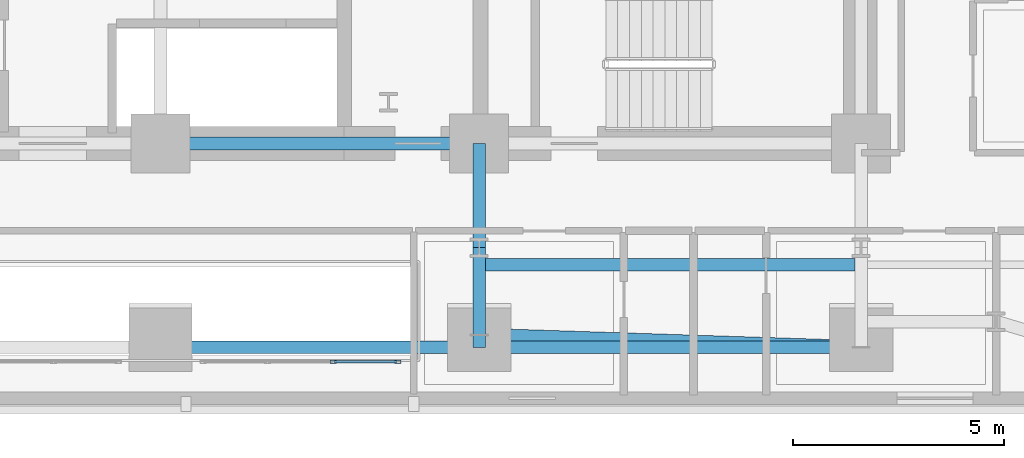
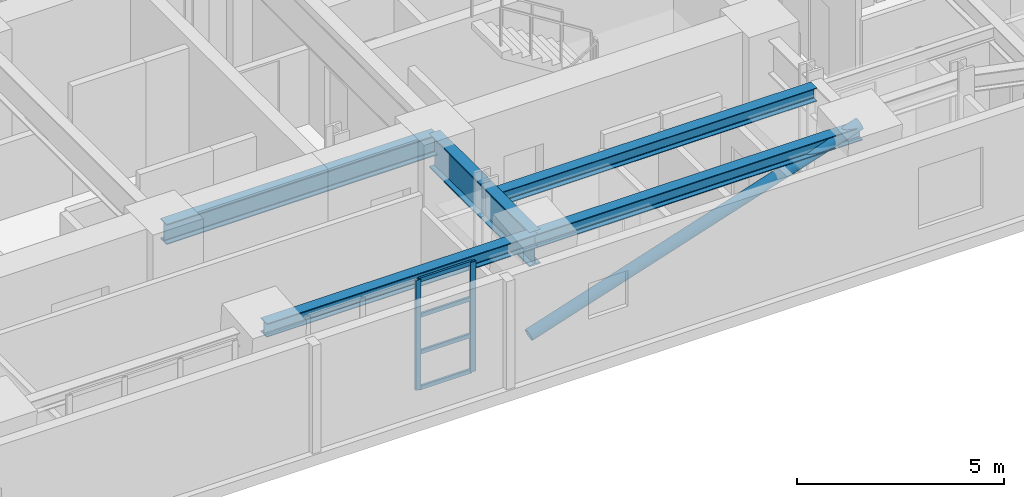
# One storey, part 4 of 16: 7 members, 6 beams, 1 element without a shape of its own.
"""IFC4 building model written with IfcOpenShell, lengths in metres."""

from ifc_helpers import new_model, si_unit, direction, frame, origin, origin_2d, place, context, subcontext, project, spatial, hollow_rectangle, hollow_circle, i_section, extrude, material, layer, layer_set, material_profile, profile_set, type_object, element, aggregate, save


model = new_model("IFC4")

# Units and contexts
model_context = context("Model", 3, precision=1e-05, world=origin(), true_north=direction((0.0, 1.0)))
body_context = subcontext(model_context, "Body", "Model", "MODEL_VIEW")
ifc_project = project(units=[si_unit("LENGTHUNIT", "METRE"), si_unit("AREAUNIT", "SQUARE_METRE"), si_unit("VOLUMEUNIT", "CUBIC_METRE"), si_unit("PLANEANGLEUNIT", "RADIAN"), si_unit("MASSUNIT", "GRAM", prefix="KILO")], contexts=[model_context])

# Site, building, storey
site_placement = place(None, origin())
site = spatial("IfcSite", under=ifc_project, at=site_placement, CompositionType="ELEMENT")
building_placement = place(site_placement, origin())
building = spatial("IfcBuilding", under=site, at=building_placement, Name="Zarnavel Station Tower", CompositionType="ELEMENT")
storey_placement = place(building_placement, frame((0.0, 0.0, 32.5)))
storey = spatial("IfcBuildingStorey", under=building, at=storey_placement, Name="L08", CompositionType="ELEMENT", Elevation=32.5)

# Curtain wall, members
ifc_material_1 = material(Name="Aluminium Dark Anodised and Solar-Control Glass", Category="aluminium")
ifc_layer = layer(ifc_material_1, 0.179931640625)
ifc_layer_set = layer_set([ifc_layer], Name="CWS2")
curtain_wall_type = type_object("IfcCurtainWallType", Name="CWS2", PredefinedType="NOTDEFINED", material=ifc_layer_set)
curtain_wall_placement = place(storey_placement, origin())
curtain_wall = element("IfcCurtainWall", 1, at=curtain_wall_placement, inside=storey, type_object=curtain_wall_type, Name="L08 Curtain Wall CWS2-L08-AS-S2", PredefinedType="NOTDEFINED")
ifc_material_2 = material(Name="Steel S355J2 (Black Fluoropolymer Coated)", Category="steel")
ifc_material_profile_1 = material_profile(ifc_material_2, hollow_rectangle(XDim=0.074951171875, YDim=0.14990234375, WallThickness=0.00634765625, at=origin_2d()), Name="RHS150x75x6.3")
ifc_profile_set_1 = profile_set([ifc_material_profile_1], Name="Steel S355J2 (Black Fluoropolymer Coated)")
member_type_1 = type_object("IfcMemberType", Name="CWS2_MUL", PredefinedType="MULLION", material=ifc_profile_set_1)
member_1_placement = place(storey_placement, frame((32.893310546875, 22.64990234375, 0.0), z_axis=(0.0, 0.0, 1.0), x_axis=(0.0, 1.0, 0.0)))
member_1 = element("IfcMember", 2, at=member_1_placement, type_object=member_type_1, Name="CW2 mullion 3", PredefinedType="MULLION", context=body_context, shape_type="SweptSolid", body=[
    extrude(hollow_rectangle(XDim=0.074951171875, YDim=0.14990234375, WallThickness=0.00634765625, at=origin_2d()), origin(), (0.0, 0.0, 1.0), 3.239990234375),
])
member_2_placement = place(storey_placement, frame((34.419921875, 22.64990234375, 0.0), z_axis=(0.0, 0.0, 1.0), x_axis=(0.0, 1.0, 0.0)))
member_2 = element("IfcMember", 3, at=member_2_placement, type_object=member_type_1, Name="CW2 mullion 4", PredefinedType="MULLION", context=body_context, shape_type="SweptSolid", body=[
    extrude(hollow_rectangle(XDim=0.074951171875, YDim=0.14990234375, WallThickness=0.00634765625, at=origin_2d()), origin(), (0.0, 0.0, 1.0), 3.239990234375),
])
ifc_material_3 = material(Name="Steel S355J2 (Black Fluoropolymer Coated)", Category="steel")
ifc_material_profile_2 = material_profile(ifc_material_3, hollow_rectangle(XDim=0.06005859375, YDim=0.1201171875, WallThickness=0.0048828125, at=origin_2d()), Name="RHS120x60x5")
ifc_profile_set_2 = profile_set([ifc_material_profile_2], Name="Steel S355J2 (Black Fluoropolymer Coated)")
member_type_2 = type_object("IfcMemberType", Name="CWS2_TRN", PredefinedType="USERDEFINED", material=ifc_profile_set_2)
member_3_placement = place(storey_placement, frame((32.92333984375, 22.64990234375, 0.030029296875), z_axis=(1.0, 0.0, 0.0), x_axis=(0.0, 1.0, 0.0)))
member_3 = element("IfcMember", 4, at=member_3_placement, type_object=member_type_2, Name="CW2 transom 3.1", ObjectType="TRANSOM", PredefinedType="USERDEFINED", context=body_context, shape_type="SweptSolid", body=[
    extrude(hollow_rectangle(XDim=0.06005859375, YDim=0.1201171875, WallThickness=0.0048828125, at=origin_2d()), origin(), (0.0, 0.0, 1.0), 1.466552734375),
])
member_4_placement = place(storey_placement, frame((32.92333984375, 22.64990234375, 1.080078125), z_axis=(1.0, 0.0, 0.0), x_axis=(0.0, 1.0, 0.0)))
member_4 = element("IfcMember", 5, at=member_4_placement, type_object=member_type_2, Name="CW2 transom 3.2", ObjectType="TRANSOM", PredefinedType="USERDEFINED", context=body_context, shape_type="SweptSolid", body=[
    extrude(hollow_rectangle(XDim=0.06005859375, YDim=0.1201171875, WallThickness=0.0048828125, at=origin_2d()), origin(), (0.0, 0.0, 1.0), 1.466552734375),
])
member_5_placement = place(storey_placement, frame((32.92333984375, 22.64990234375, 2.159912109375), z_axis=(1.0, 0.0, 0.0), x_axis=(0.0, 1.0, 0.0)))
member_5 = element("IfcMember", 6, at=member_5_placement, type_object=member_type_2, Name="CW2 transom 3.3", ObjectType="TRANSOM", PredefinedType="USERDEFINED", context=body_context, shape_type="SweptSolid", body=[
    extrude(hollow_rectangle(XDim=0.06005859375, YDim=0.1201171875, WallThickness=0.0048828125, at=origin_2d()), origin(), (0.0, 0.0, 1.0), 1.466552734375),
])
member_6_placement = place(storey_placement, frame((32.92333984375, 22.64990234375, 3.2099609375), z_axis=(1.0, 0.0, 0.0), x_axis=(0.0, 1.0, 0.0)))
member_6 = element("IfcMember", 7, at=member_6_placement, type_object=member_type_2, Name="CW2 transom 3.4", ObjectType="TRANSOM", PredefinedType="USERDEFINED", context=body_context, shape_type="SweptSolid", body=[
    extrude(hollow_rectangle(XDim=0.06005859375, YDim=0.1201171875, WallThickness=0.0048828125, at=origin_2d()), origin(), (0.0, 0.0, 1.0), 1.466552734375),
])
aggregate(curtain_wall, [member_1, member_2, member_3, member_4, member_5, member_6])

# Member
ifc_material_4 = material(Name="Steel S355J2", Category="steel")
ifc_material_profile_3 = material_profile(ifc_material_4, hollow_circle(Radius=0.161865234375, WallThickness=0.012451171875, at=origin_2d()), Name="CHS323.9x12.5")
ifc_profile_set_3 = profile_set([ifc_material_profile_3], Name="Steel S355J2")
member_type_3 = type_object("IfcMemberType", Name="DB_EXT_CHS324", PredefinedType="BRACE", material=ifc_profile_set_3)
member_7_placement = place(storey_placement, frame((36.35009765625, 23.28271484375, 0.0), z_axis=(0.941042303893, -0.030515076327, 0.336909798612), x_axis=(0.032409856061, 0.999474662625, 0.0)))
element("IfcMember", 8, at=member_7_placement, inside=storey, type_object=member_type_3, Name="L08 Persian Exterior Diagonal Frame Brace 2", PredefinedType="BRACE", context=body_context, shape_type="SweptSolid", body=[
    extrude(hollow_circle(Radius=0.161865234375, WallThickness=0.012451171875, at=origin_2d()), origin(), (0.0, 0.0, 1.0), 9.61669921875),
])

# Beams
ifc_material_5 = material(Name="Steel S355J2", Category="steel")
ifc_material_profile_4 = material_profile(ifc_material_5, i_section(OverallWidth=0.300048828125, OverallDepth=0.39990234375, WebThickness=0.013427734375, FlangeThickness=0.02392578125, FilletRadius=0.027099609375, at=origin_2d()), Name="HEB400")
ifc_profile_set_4 = profile_set([ifc_material_profile_4], Name="Steel S355J2")
beam_type_1 = type_object("IfcBeamType", Name="EB_HEB400", PredefinedType="SPANDREL", material=ifc_profile_set_4)
beam_1_placement = place(storey_placement, frame((28.800048828125, 22.9892578125, 3.0400390625), z_axis=(1.0, 0.0, 0.0), x_axis=(0.0, 1.0, 0.0)))
element("IfcBeam", 9, at=beam_1_placement, inside=storey, type_object=beam_type_1, Name="L08 South Raked Spandrel 3", PredefinedType="SPANDREL", context=body_context, shape_type="SweptSolid", body=[
    extrude(i_section(OverallWidth=0.300048828125, OverallDepth=0.39990234375, WebThickness=0.013427734375, FlangeThickness=0.02392578125, FilletRadius=0.027099609375, at=origin_2d()), origin(), (0.0, 0.0, 1.0), 7.550048828125),
])
beam_2_placement = place(storey_placement, frame((36.35009765625, 22.9892578125, 3.0400390625), z_axis=(1.0, 0.0, 0.0), x_axis=(0.0, 1.0, 0.0)))
element("IfcBeam", 10, at=beam_2_placement, inside=storey, type_object=beam_type_1, Name="L08 South Raked Spandrel 4", PredefinedType="SPANDREL", context=body_context, shape_type="SweptSolid", body=[
    extrude(i_section(OverallWidth=0.300048828125, OverallDepth=0.39990234375, WebThickness=0.013427734375, FlangeThickness=0.02392578125, FilletRadius=0.027099609375, at=origin_2d()), origin(), (0.0, 0.0, 1.0), 9.0498046875),
])
ifc_material_6 = material(Name="Steel S355J2", Category="steel")
ifc_material_profile_5 = material_profile(ifc_material_6, i_section(OverallWidth=0.300048828125, OverallDepth=0.389892578125, WebThickness=0.010986328125, FlangeThickness=0.01904296875, FilletRadius=0.027099609375, at=origin_2d()), Name="HEA400")
ifc_profile_set_5 = profile_set([ifc_material_profile_5], Name="Steel S355J2")
beam_type_2 = type_object("IfcBeamType", Name="FB_HEA400", PredefinedType="BEAM", material=ifc_profile_set_5)
beam_3_placement = place(storey_placement, frame((36.4951171875, 24.9462890625, 3.044921875), z_axis=(1.0, 0.0, 0.0), x_axis=(0.0, 1.0, 0.0)))
element("IfcBeam", 11, at=beam_3_placement, inside=storey, type_object=beam_type_2, Name="L08 East Bay Beam 2", PredefinedType="BEAM", context=body_context, shape_type="SweptSolid", body=[
    extrude(i_section(OverallWidth=0.300048828125, OverallDepth=0.389892578125, WebThickness=0.010986328125, FlangeThickness=0.01904296875, FilletRadius=0.027099609375, at=origin_2d()), origin(), (0.0, 0.0, 1.0), 8.759765625),
])
ifc_material_7 = material(Name="Steel S355J2", Category="steel")
ifc_material_profile_6 = material_profile(ifc_material_7, i_section(OverallWidth=0.300048828125, OverallDepth=0.60009765625, WebThickness=0.015380859375, FlangeThickness=0.030029296875, FilletRadius=0.027099609375, at=origin_2d()), Name="HEB600")
ifc_profile_set_6 = profile_set([ifc_material_profile_6], Name="Steel S355J2")
beam_type_3 = type_object("IfcBeamType", Name="FG_HEB600", PredefinedType="USERDEFINED", material=ifc_profile_set_6)
beam_4_placement = place(storey_placement, frame((28.800048828125, 27.820068359375, 2.93994140625), z_axis=(1.0, 0.0, 0.0), x_axis=(0.0, 1.0, 0.0)))
element("IfcBeam", 12, at=beam_4_placement, inside=storey, type_object=beam_type_3, Name="L08 Core Front Coupling Beam 3", ObjectType="GIRDER", PredefinedType="USERDEFINED", context=body_context, shape_type="SweptSolid", body=[
    extrude(i_section(OverallWidth=0.300048828125, OverallDepth=0.60009765625, WebThickness=0.015380859375, FlangeThickness=0.030029296875, FilletRadius=0.027099609375, at=origin_2d()), origin(), (0.0, 0.0, 1.0), 7.550048828125),
])
ifc_material_8 = material(Name="Steel S460M", Category="steel")
ifc_material_profile_7 = material_profile(ifc_material_8, i_section(OverallWidth=0.302001953125, OverallDepth=1.008056640625, WebThickness=0.02099609375, FlangeThickness=0.0400390625, FilletRadius=0.030029296875, at=origin_2d()), Name="HEM1000")
ifc_profile_set_7 = profile_set([ifc_material_profile_7], Name="Steel S460M")
beam_type_4 = type_object("IfcBeamType", Name="TG_HEM1000", PredefinedType="USERDEFINED", material=ifc_profile_set_7)
beam_5_placement = place(storey_placement, frame((36.35009765625, 22.9892578125, 2.736083984375), z_axis=(0.0, 1.0, 0.0), x_axis=(-1.0, 0.0, 0.0)))
element("IfcBeam", 13, at=beam_5_placement, inside=storey, type_object=beam_type_4, Name="L08 South-Zone NS Girder 4", ObjectType="GIRDER", PredefinedType="USERDEFINED", context=body_context, shape_type="SweptSolid", body=[
    extrude(i_section(OverallWidth=0.302001953125, OverallDepth=1.008056640625, WebThickness=0.02099609375, FlangeThickness=0.0400390625, FilletRadius=0.030029296875, at=origin_2d()), origin(), (0.0, 0.0, 1.0), 2.36083984375),
])
beam_6_placement = place(storey_placement, frame((36.35009765625, 25.35009765625, 2.736083984375), z_axis=(0.0, 1.0, 0.0), x_axis=(-1.0, 0.0, 0.0)))
element("IfcBeam", 14, at=beam_6_placement, inside=storey, type_object=beam_type_4, Name="L08 Inner-Zone NS Girder 4", ObjectType="GIRDER", PredefinedType="USERDEFINED", context=body_context, shape_type="SweptSolid", body=[
    extrude(i_section(OverallWidth=0.302001953125, OverallDepth=1.008056640625, WebThickness=0.02099609375, FlangeThickness=0.0400390625, FilletRadius=0.030029296875, at=origin_2d()), origin(), (0.0, 0.0, 1.0), 2.469970703125),
])

save(model, "model.ifc")
